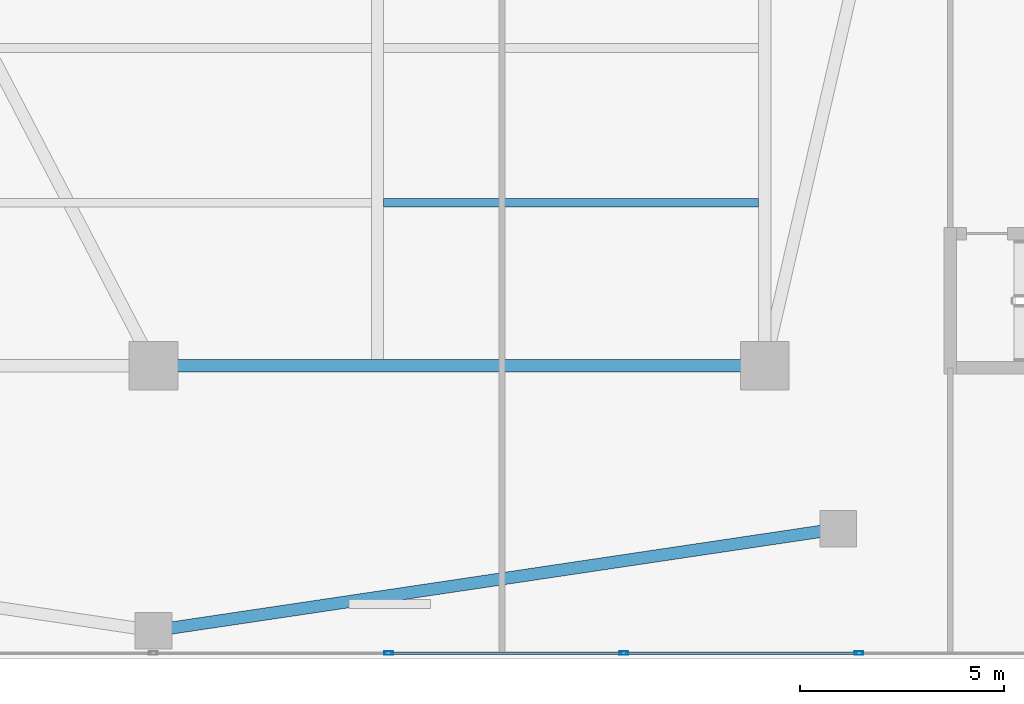
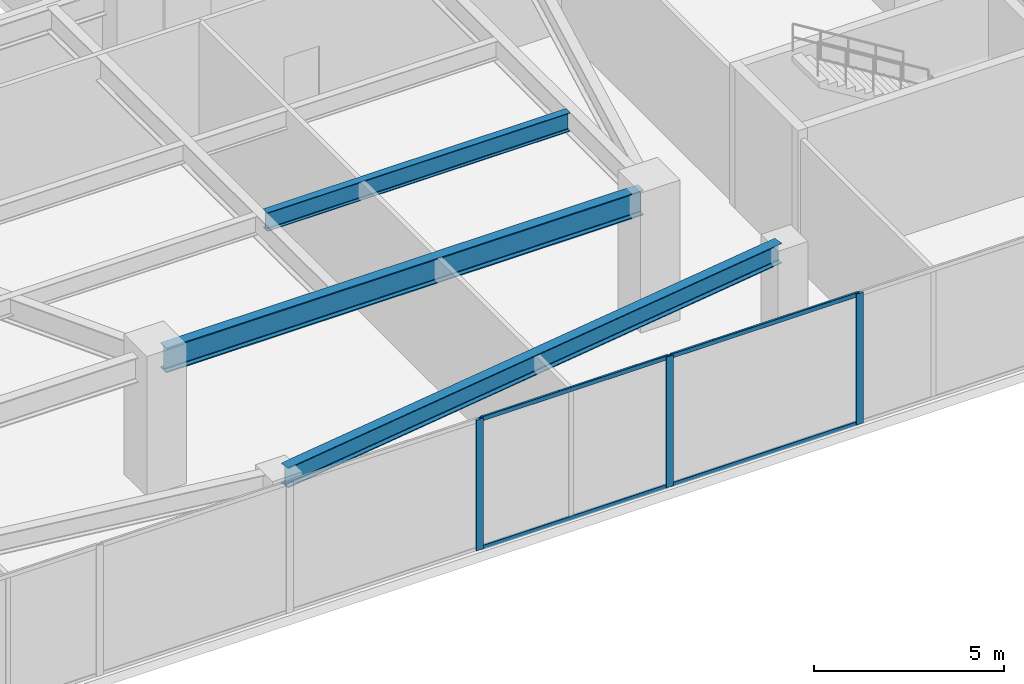
# One storey, part 6 of 27: 7 members, 3 beams, 1 element without a shape of its own.
"""IFC4 building model written with IfcOpenShell, lengths in metres."""

import ifcopenshell
import ifcopenshell.guid

model = None  # the IFC model being written
_history = None  # IfcOwnerHistory: only IFC2X3 demands one
_inside = {}  # id of a spatial element -> (the spatial element, [elements in it])
_under = {}  # id of a project, library or spatial element -> (it, [spatial elements below it])
_declared = {}  # id of a project -> (the project, [libraries it declares])
_typed = {}  # id of a type object -> (the type object, [elements of that type])
_made_of = {}  # id of a material, layer set ... -> (it, [elements and type objects made of it])


def new_model(schema):
    """Start an empty IFC model of exactly this schema.

    Asked for "IFC4X3", IfcOpenShell would pick the latest addendum, in which some entities
    have other attributes; the version numbers below select the first issue.
    IFC2X3 requires an IfcOwnerHistory on every rooted entity: one is made here for all.
    """
    global model, _history
    if schema == "IFC4X3":
        model = ifcopenshell.file(schema_version=(4, 3, 0, 0))
    else:
        model = ifcopenshell.file(schema=schema)
    _inside.clear()
    _under.clear()
    _declared.clear()
    _typed.clear()
    _made_of.clear()
    _history = None
    if model.schema == "IFC2X3":
        org = make("IfcOrganization", Name="unknown")
        user = make(
            "IfcPersonAndOrganization",
            ThePerson=make("IfcPerson", FamilyName="unknown"),
            TheOrganization=org,
        )
        app = make(
            "IfcApplication",
            ApplicationDeveloper=org,
            Version="unknown",
            ApplicationFullName="unknown",
            ApplicationIdentifier="unknown",
        )
        _history = make(
            "IfcOwnerHistory",
            OwningUser=user,
            OwningApplication=app,
            ChangeAction="ADDED",
            CreationDate=0,
        )
    return model


def make(cls, **values):
    """One entity of the class cls with the attributes given. An attribute that is None is left unset."""
    return model.create_entity(
        cls, **{name: value for name, value in values.items() if value is not None}
    )


def rooted(cls, **values):
    """An entity with a GlobalId (a new one), such as an element, a storey or a relation."""
    return make(cls, GlobalId=ifcopenshell.guid.new(), OwnerHistory=_history, **values)


def si_unit(unit_type, name, prefix=None):
    """IfcSIUnit, for example si_unit("LENGTHUNIT", "METRE", prefix="MILLI")."""
    return make("IfcSIUnit", UnitType=unit_type, Prefix=prefix, Name=name)


def assignment(units):
    """IfcUnitAssignment: the units of a project."""
    return None if units is None else make("IfcUnitAssignment", Units=units)


def point(xyz):
    """IfcCartesianPoint."""
    return None if xyz is None else make("IfcCartesianPoint", Coordinates=xyz)


def direction(xyz):
    """IfcDirection."""
    return None if xyz is None else make("IfcDirection", DirectionRatios=xyz)


def frame(location, z_axis=None, x_axis=None):
    """IfcAxis2Placement3D, a coordinate frame: its origin and axes. An axis left out is left unset."""
    return make(
        "IfcAxis2Placement3D",
        Location=point(location),
        Axis=direction(z_axis),
        RefDirection=direction(x_axis),
    )


def frame_2d(location, x_axis=None):
    """IfcAxis2Placement2D, a coordinate frame in the plane: its origin and x axis."""
    return make(
        "IfcAxis2Placement2D", Location=point(location), RefDirection=direction(x_axis)
    )


def origin():
    """The frame at (0, 0, 0) with its axes left unset."""
    return frame((0.0, 0.0, 0.0))


def origin_2d():
    """The frame at (0, 0) in the plane with its x axis left unset."""
    return frame_2d((0.0, 0.0))


def place(relative_to, where):
    """IfcLocalPlacement: puts the frame where relative to a parent placement (None: the world)."""
    return make(
        "IfcLocalPlacement", PlacementRelTo=relative_to, RelativePlacement=where
    )


def context(
    kind, dimensions, precision=None, world=None, true_north=None, identifier=None
):
    """IfcGeometricRepresentationContext, for example the 3D "Model" context."""
    return make(
        "IfcGeometricRepresentationContext",
        ContextIdentifier=identifier,
        ContextType=kind,
        CoordinateSpaceDimension=dimensions,
        Precision=precision,
        WorldCoordinateSystem=world,
        TrueNorth=true_north,
    )


def subcontext(parent, identifier, kind, view, scale=None):
    """IfcGeometricRepresentationSubContext, for example "Body" below "Model"."""
    return make(
        "IfcGeometricRepresentationSubContext",
        ContextIdentifier=identifier,
        ContextType=kind,
        ParentContext=parent,
        TargetScale=scale,
        TargetView=view,
    )


def project(units=None, contexts=None):
    """IfcProject with its units and contexts."""
    return rooted(
        "IfcProject",
        Name="project",
        RepresentationContexts=contexts,
        UnitsInContext=assignment(units),
    )


def spatial(cls, under=None, at=None, **own):
    """A site, building, storey or space (cls), placed at a placement, below another one or the project."""
    s = rooted(cls, ObjectPlacement=at, **own)
    if under is not None:
        _under.setdefault(under.id(), (under, []))[1].append(s)
    return s


def profile(cls, at=None, kind="AREA", **sizes):
    """A parametric profile (cls). Its sizes go by their IFC names, for example OverallWidth=200.0."""
    return make(cls, ProfileType=kind, Position=at, **sizes)


def hollow_rectangle(**sizes):
    """IfcRectangleHollowProfileDef."""
    return profile("IfcRectangleHollowProfileDef", **sizes)


def i_section(**sizes):
    """IfcIShapeProfileDef."""
    return profile("IfcIShapeProfileDef", **sizes)


def extrude(swept, where, along, depth):
    """IfcExtrudedAreaSolid: the profile swept, set in the frame where, extruded along a direction by depth."""
    return make(
        "IfcExtrudedAreaSolid",
        SweptArea=swept,
        Position=where,
        ExtrudedDirection=direction(along),
        Depth=depth,
    )


def shape(context_of_items, identifier, shape_type, items):
    """IfcShapeRepresentation: the items that make up one representation, for example the "Body"."""
    return make(
        "IfcShapeRepresentation",
        ContextOfItems=context_of_items,
        RepresentationIdentifier=identifier,
        RepresentationType=shape_type,
        Items=items,
    )


def material(Name=None, Category=None):
    """IfcMaterial."""
    return make("IfcMaterial", Name=Name, Category=Category)


def layer(
    of_material, thickness, ventilated=None, Name=None, Category=None, Priority=None
):
    """IfcMaterialLayer: one layer of a wall or slab, of a material (None: an air gap)."""
    return make(
        "IfcMaterialLayer",
        Material=of_material,
        LayerThickness=thickness,
        IsVentilated=ventilated,
        Name=Name,
        Category=Category,
        Priority=Priority,
    )


def layer_set(layers, Name=None):
    """IfcMaterialLayerSet."""
    return make("IfcMaterialLayerSet", MaterialLayers=layers, LayerSetName=Name)


def material_profile(
    of_material, cross_section, Name=None, Category=None, Priority=None
):
    """IfcMaterialProfile: a cross section and its material."""
    return make(
        "IfcMaterialProfile",
        Name=Name,
        Material=of_material,
        Profile=cross_section,
        Priority=Priority,
        Category=Category,
    )


def profile_set(profiles, Name=None, composite=None):
    """IfcMaterialProfileSet."""
    return make(
        "IfcMaterialProfileSet",
        Name=Name,
        MaterialProfiles=profiles,
        CompositeProfile=composite,
    )


def made_of(thing, what):
    """Note that an element or type object is made of a material, layer set ...; save() writes the relation."""
    if what is not None:
        _made_of.setdefault(what.id(), (what, []))[1].append(thing)
    return thing


def type_object(cls, material=None, **own):
    """A type object (cls), such as IfcWallType, which elements share."""
    return made_of(rooted(cls, **own), material)


def element(
    cls,
    number,
    at=None,
    inside=None,
    cuts=None,
    type_object=None,
    material=None,
    context=None,
    identifier="Body",
    shape_type=None,
    held_by="IfcProductDefinitionShape",
    body=None,
    shapes=None,
    **own,
):
    """One element of the class cls, such as IfcWall. Its Tag is "e" and its number.

    at: its placement. inside: the storey or other place that contains it. cuts: it is an
    opening in that element (IfcRelVoidsElement). A single representation is given by context,
    identifier, shape_type and body (its items); several are given by shapes. held_by: the class
    of the entity that holds the representations. save() writes the other relations.
    """
    e = rooted(cls, Tag="e%d" % number, ObjectPlacement=at, **own)
    if body is not None:
        shapes = [shape(context, identifier, shape_type, body)]
    if shapes is not None:
        e.Representation = make(held_by, Representations=shapes)
    if inside is not None:
        _inside.setdefault(inside.id(), (inside, []))[1].append(e)
    if cuts is not None:
        rooted(
            "IfcRelVoidsElement", RelatingBuildingElement=cuts, RelatedOpeningElement=e
        )
    if type_object is not None:
        _typed.setdefault(type_object.id(), (type_object, []))[1].append(e)
    return made_of(e, material)


def aggregate(whole, parts):
    """IfcRelAggregates: a whole, such as a stair, and the parts it consists of."""
    return rooted("IfcRelAggregates", RelatingObject=whole, RelatedObjects=parts)


def save(model, path):
    """Write the relations noted so far, then the file.

    IfcRelAggregates (storeys below a building ...), IfcRelContainedInSpatialStructure (elements
    in a storey), IfcRelDefinesByType, IfcRelAssociatesMaterial and IfcRelDeclares: one each for
    every whole, place, type object, material and project.
    """
    for whole, parts in _under.values():
        aggregate(whole, parts)
    for where, things in _inside.values():
        rooted(
            "IfcRelContainedInSpatialStructure",
            RelatedElements=things,
            RelatingStructure=where,
        )
    for kind, things in _typed.values():
        rooted("IfcRelDefinesByType", RelatedObjects=things, RelatingType=kind)
    for what, things in _made_of.values():
        rooted("IfcRelAssociatesMaterial", RelatedObjects=things, RelatingMaterial=what)
    for by, libraries in _declared.values():
        rooted("IfcRelDeclares", RelatingContext=by, RelatedDefinitions=libraries)
    model.write(path)


model = new_model("IFC4")

# Units and contexts
model_context = context("Model", 3, precision=1e-05, world=origin(), true_north=direction((0.0, 1.0)))
body_context = subcontext(model_context, "Body", "Model", "MODEL_VIEW")
ifc_project = project(units=[si_unit("LENGTHUNIT", "METRE"), si_unit("AREAUNIT", "SQUARE_METRE"), si_unit("VOLUMEUNIT", "CUBIC_METRE"), si_unit("PLANEANGLEUNIT", "RADIAN"), si_unit("MASSUNIT", "GRAM", prefix="KILO")], contexts=[model_context])

# Site, building, storey
site_placement = place(None, origin())
site = spatial("IfcSite", under=ifc_project, at=site_placement, CompositionType="ELEMENT")
building_placement = place(site_placement, origin())
building = spatial("IfcBuilding", under=site, at=building_placement, Name="Tarnavaz Court Tower", CompositionType="ELEMENT")
storey_placement = place(building_placement, frame((0.0, 0.0, 9.89990234375)))
storey = spatial("IfcBuildingStorey", under=building, at=storey_placement, Name="L02", CompositionType="ELEMENT", Elevation=9.89990234375)

# Beams
ifc_material_1 = material(Name="Steel S355", Category="steel")
ifc_material_profile_1 = material_profile(ifc_material_1, i_section(OverallWidth=0.300048828125, OverallDepth=0.800048828125, WebThickness=0.017578125, FlangeThickness=0.032958984375, FilletRadius=0.030029296875, at=origin_2d()), Name="HEB 800")
ifc_profile_set_1 = profile_set([ifc_material_profile_1], Name="Steel S355")
beam_type_1 = type_object("IfcBeamType", Name="BM-G-HEB800", PredefinedType="USERDEFINED", material=ifc_profile_set_1)
beam_1_placement = place(storey_placement, frame((0.25, -22.800048828125, 3.800048828125), z_axis=(1.0, 0.0, 0.0), x_axis=(0.0, 1.0, 0.0)))
element("IfcBeam", 1, at=beam_1_placement, inside=storey, type_object=beam_type_1, Name="L02 Beam PM-PM-S2-PM-S3", ObjectType="GIRDER", PredefinedType="USERDEFINED", context=body_context, shape_type="SweptSolid", body=[
    extrude(i_section(OverallWidth=0.300048828125, OverallDepth=0.800048828125, WebThickness=0.017578125, FlangeThickness=0.032958984375, FilletRadius=0.030029296875, at=origin_2d()), origin(), (0.0, 0.0, 1.0), 14.5),
])
ifc_material_profile_2 = material_profile(ifc_material_1, i_section(OverallWidth=0.219970703125, OverallDepth=0.60009765625, WebThickness=0.011962890625, FlangeThickness=0.01904296875, FilletRadius=0.02392578125, at=origin_2d()), Name="IPE 600")
ifc_profile_set_2 = profile_set([ifc_material_profile_2], Name="Steel S355")
beam_type_2 = type_object("IfcBeamType", Name="BM-J-IPE600", PredefinedType="JOIST", material=ifc_profile_set_2)
beam_2_placement = place(storey_placement, frame((5.64990234375, -18.800048828125, 3.900146484375), z_axis=(1.0, 0.0, 0.0), x_axis=(0.0, 1.0, 0.0)))
element("IfcBeam", 2, at=beam_2_placement, inside=storey, type_object=beam_type_2, Name="L02 Beam PJS-2-3", PredefinedType="JOIST", context=body_context, shape_type="SweptSolid", body=[
    extrude(i_section(OverallWidth=0.219970703125, OverallDepth=0.60009765625, WebThickness=0.011962890625, FlangeThickness=0.01904296875, FilletRadius=0.02392578125, at=origin_2d()), origin(), (0.0, 0.0, 1.0), 9.2001953125),
])
ifc_material_profile_3 = material_profile(ifc_material_1, i_section(OverallWidth=0.300048828125, OverallDepth=0.639892578125, WebThickness=0.013427734375, FlangeThickness=0.02587890625, FilletRadius=0.027099609375, at=origin_2d()), Name="HEA 650")
ifc_profile_set_3 = profile_set([ifc_material_profile_3], Name="Steel S355")
beam_type_3 = type_object("IfcBeamType", Name="BM-SP-HEA650", PredefinedType="SPANDREL", material=ifc_profile_set_3)
beam_3_placement = place(storey_placement, frame((0.19775390625, -29.2705078125, 3.960205078125), z_axis=(0.989108332922, 0.147189353368, 0.0), x_axis=(-0.147189353368, 0.989108332922, 0.0)))
element("IfcBeam", 3, at=beam_3_placement, inside=storey, type_object=beam_type_3, Name="L02 Beam PR-POD-S2-POD-S3", PredefinedType="SPANDREL", context=body_context, shape_type="SweptSolid", body=[
    extrude(i_section(OverallWidth=0.300048828125, OverallDepth=0.639892578125, WebThickness=0.013427734375, FlangeThickness=0.02587890625, FilletRadius=0.027099609375, at=origin_2d()), origin(), (0.0, 0.0, 1.0), 16.585205078125),
])

# Curtain wall, members
ifc_material_2 = material(Name="Anodised Aluminium 6063-T6 and Solar Low-E Glazing", Category="aluminium")
ifc_layer = layer(ifc_material_2, 0.18994140625)
ifc_layer_set = layer_set([ifc_layer], Name="Anodised Aluminium 6063-T6 and Solar Low-E Glazing")
curtain_wall_type = type_object("IfcCurtainWallType", Name="CW-SYS-01", PredefinedType="NOTDEFINED", material=ifc_layer_set)
curtain_wall_placement = place(storey_placement, origin())
curtain_wall = element("IfcCurtainWall", 4, at=curtain_wall_placement, inside=storey, type_object=curtain_wall_type, Name="L02 Clinic South Curtain Wall 3", PredefinedType="NOTDEFINED")
ifc_material_3 = material(Name="Anodised Aluminium 6063-T6", Category="aluminium")
ifc_material_profile_4 = material_profile(ifc_material_3, hollow_rectangle(XDim=0.0849609375, YDim=0.219970703125, WallThickness=0.006103515625, InnerFilletRadius=0.006103515625, OuterFilletRadius=0.011962890625, at=origin_2d()), Name="ALU RHS 220X85X6")
ifc_profile_set_4 = profile_set([ifc_material_profile_4], Name="Anodised Aluminium 6063-T6")
member_type_1 = type_object("IfcMemberType", Name="CW-MUL-220", PredefinedType="MULLION", material=ifc_profile_set_4)
member_1_placement = place(storey_placement, frame((17.31005859375, -29.85009765625, 0.0), z_axis=(0.0, 0.0, 1.0), x_axis=(0.0, -1.0, 0.0)))
member_1 = element("IfcMember", 5, at=member_1_placement, type_object=member_type_1, Name="CW mullion 3", PredefinedType="MULLION", context=body_context, shape_type="SweptSolid", body=[
    extrude(hollow_rectangle(XDim=0.0849609375, YDim=0.219970703125, WallThickness=0.006103515625, InnerFilletRadius=0.006103515625, OuterFilletRadius=0.011962890625, at=origin_2d()), origin(), (0.0, 0.0, 1.0), 4.2001953125),
])
member_2_placement = place(storey_placement, frame((11.5400390625, -29.85009765625, 0.0), z_axis=(0.0, 0.0, 1.0), x_axis=(0.0, -1.0, 0.0)))
member_2 = element("IfcMember", 6, at=member_2_placement, type_object=member_type_1, Name="CW mullion 4", PredefinedType="MULLION", context=body_context, shape_type="SweptSolid", body=[
    extrude(hollow_rectangle(XDim=0.0849609375, YDim=0.219970703125, WallThickness=0.006103515625, InnerFilletRadius=0.006103515625, OuterFilletRadius=0.011962890625, at=origin_2d()), origin(), (0.0, 0.0, 1.0), 4.2001953125),
])
member_3_placement = place(storey_placement, frame((5.77001953125, -29.85009765625, 0.0), z_axis=(0.0, 0.0, 1.0), x_axis=(0.0, -1.0, 0.0)))
member_3 = element("IfcMember", 7, at=member_3_placement, type_object=member_type_1, Name="CW mullion 5", PredefinedType="MULLION", context=body_context, shape_type="SweptSolid", body=[
    extrude(hollow_rectangle(XDim=0.0849609375, YDim=0.219970703125, WallThickness=0.006103515625, InnerFilletRadius=0.006103515625, OuterFilletRadius=0.011962890625, at=origin_2d()), origin(), (0.0, 0.0, 1.0), 4.2001953125),
])
ifc_material_profile_5 = material_profile(ifc_material_3, hollow_rectangle(XDim=0.06494140625, YDim=0.139892578125, WallThickness=0.00390625, InnerFilletRadius=0.00390625, OuterFilletRadius=0.008056640625, at=origin_2d()), Name="ALU RHS 140X65X4")
ifc_profile_set_5 = profile_set([ifc_material_profile_5], Name="Anodised Aluminium 6063-T6")
member_type_2 = type_object("IfcMemberType", Name="CW-TRN-140", PredefinedType="USERDEFINED", material=ifc_profile_set_5)
member_4_placement = place(storey_placement, frame((17.267578125, -29.85009765625, 0.03271484375), z_axis=(-1.0, 0.0, 0.0), x_axis=(0.0, -1.0, 0.0)))
member_4 = element("IfcMember", 8, at=member_4_placement, type_object=member_type_2, Name="CW transom 3.1", ObjectType="TRANSOM", PredefinedType="USERDEFINED", context=body_context, shape_type="SweptSolid", body=[
    extrude(hollow_rectangle(XDim=0.06494140625, YDim=0.139892578125, WallThickness=0.00390625, InnerFilletRadius=0.00390625, OuterFilletRadius=0.008056640625, at=origin_2d()), origin(), (0.0, 0.0, 1.0), 5.68505859375),
])
member_5_placement = place(storey_placement, frame((17.267578125, -29.85009765625, 4.16748046875), z_axis=(-1.0, 0.0, 0.0), x_axis=(0.0, -1.0, 0.0)))
member_5 = element("IfcMember", 9, at=member_5_placement, type_object=member_type_2, Name="CW transom 3.2", ObjectType="TRANSOM", PredefinedType="USERDEFINED", context=body_context, shape_type="SweptSolid", body=[
    extrude(hollow_rectangle(XDim=0.06494140625, YDim=0.139892578125, WallThickness=0.00390625, InnerFilletRadius=0.00390625, OuterFilletRadius=0.008056640625, at=origin_2d()), origin(), (0.0, 0.0, 1.0), 5.68505859375),
])
member_6_placement = place(storey_placement, frame((11.49755859375, -29.85009765625, 0.03271484375), z_axis=(-1.0, 0.0, 0.0), x_axis=(0.0, -1.0, 0.0)))
member_6 = element("IfcMember", 10, at=member_6_placement, type_object=member_type_2, Name="CW transom 4.1", ObjectType="TRANSOM", PredefinedType="USERDEFINED", context=body_context, shape_type="SweptSolid", body=[
    extrude(hollow_rectangle(XDim=0.06494140625, YDim=0.139892578125, WallThickness=0.00390625, InnerFilletRadius=0.00390625, OuterFilletRadius=0.008056640625, at=origin_2d()), origin(), (0.0, 0.0, 1.0), 5.68505859375),
])
member_7_placement = place(storey_placement, frame((11.49755859375, -29.85009765625, 4.16748046875), z_axis=(-1.0, 0.0, 0.0), x_axis=(0.0, -1.0, 0.0)))
member_7 = element("IfcMember", 11, at=member_7_placement, type_object=member_type_2, Name="CW transom 4.2", ObjectType="TRANSOM", PredefinedType="USERDEFINED", context=body_context, shape_type="SweptSolid", body=[
    extrude(hollow_rectangle(XDim=0.06494140625, YDim=0.139892578125, WallThickness=0.00390625, InnerFilletRadius=0.00390625, OuterFilletRadius=0.008056640625, at=origin_2d()), origin(), (0.0, 0.0, 1.0), 5.68505859375),
])
aggregate(curtain_wall, [member_1, member_2, member_3, member_4, member_5, member_6, member_7])

save(model, "model.ifc")
